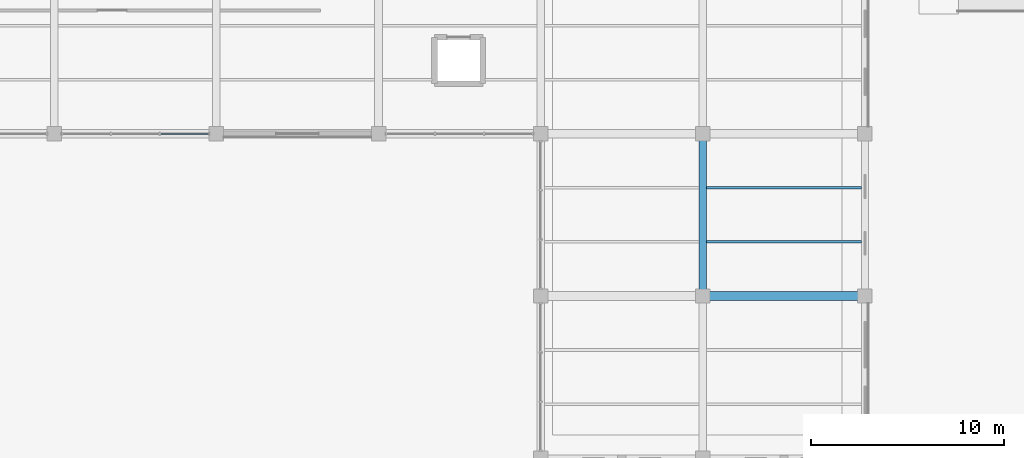
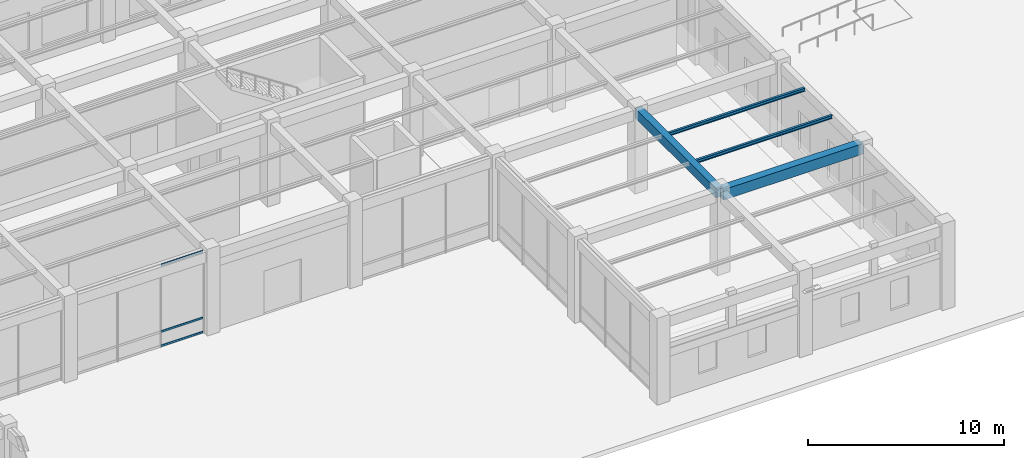
# One storey, part 18 of 157: 4 beams, 3 members, 1 element without a shape of its own.
"""IFC4 building model written with IfcOpenShell, lengths in metres."""

from ifc_helpers import new_model, si_unit, direction, frame, origin, origin_2d, place, context, subcontext, project, spatial, rectangle, hollow_rectangle, i_section, extrude, material, material_profile, profile_set, type_object, element, aggregate, save


model = new_model("IFC4")

# Units and contexts
model_context = context("Model", 3, precision=1e-05, world=origin(), true_north=direction((0.0, 1.0)))
body_context = subcontext(model_context, "Body", "Model", "MODEL_VIEW")
ifc_project = project(units=[si_unit("LENGTHUNIT", "METRE"), si_unit("AREAUNIT", "SQUARE_METRE"), si_unit("VOLUMEUNIT", "CUBIC_METRE"), si_unit("PLANEANGLEUNIT", "RADIAN"), si_unit("MASSUNIT", "GRAM", prefix="KILO"), si_unit("THERMODYNAMICTEMPERATUREUNIT", "KELVIN"), si_unit("POWERUNIT", "WATT")], contexts=[model_context])

# Site, building, storey
site_placement = place(None, origin())
site = spatial("IfcSite", under=ifc_project, at=site_placement, CompositionType="ELEMENT")
building_placement = place(site_placement, origin())
building = spatial("IfcBuilding", under=site, at=building_placement, Name="Darbajah Civic Hall", CompositionType="ELEMENT")
storey_placement = place(building_placement, origin())
storey = spatial("IfcBuildingStorey", under=building, at=storey_placement, Name="L00", CompositionType="ELEMENT", Elevation=0.0)

# Curtain wall, members
ifc_material_1 = material(Name="Anodised Bronze Aluminium and Low-E Glazing", Category="aluminium")
curtain_wall_type = type_object("IfcCurtainWallType", Name="Unitised Curtain Wall CW-98 7600x5150", PredefinedType="USERDEFINED", material=ifc_material_1)
curtain_wall_placement = place(storey_placement, origin())
curtain_wall = element("IfcCurtainWall", 1, at=curtain_wall_placement, inside=storey, type_object=curtain_wall_type, Name="L00 unitised curtain wall CW-V5-L00-S2-B1", ObjectType="UNITISED CURTAIN WALL", PredefinedType="USERDEFINED")
ifc_material_2 = material(Name="Anodised Bronze Aluminium", Category="aluminium")
ifc_material_profile_1 = material_profile(ifc_material_2, hollow_rectangle(XDim=0.06005859375, YDim=0.1201171875, WallThickness=0.003173828125, at=origin_2d()), Name="ALU TRANSOM 60x120")
ifc_profile_set_1 = profile_set([ifc_material_profile_1], Name="Anodised Bronze Aluminium")
member_type = type_object("IfcMemberType", Name="ALU TRANSOM 60x120", PredefinedType="USERDEFINED", material=ifc_profile_set_1)
member_1_placement = place(storey_placement, frame((30.709228515625, 16.800048828125, 0.06005859375), z_axis=(1.0, 0.0, 0.0), x_axis=(0.0, 1.0, 0.0)))
member_1 = element("IfcMember", 2, at=member_1_placement, type_object=member_type, Name="CW-V5-L00-S2-B1 transom 3.1", ObjectType="TRANSOM", PredefinedType="USERDEFINED", context=body_context, shape_type="SweptSolid", body=[
    extrude(hollow_rectangle(XDim=0.06005859375, YDim=0.1201171875, WallThickness=0.003173828125, at=origin_2d()), origin(), (0.0, 0.0, 1.0), 2.478759765625),
])
member_2_placement = place(storey_placement, frame((30.709228515625, 16.800048828125, 0.949951171875), z_axis=(1.0, 0.0, 0.0), x_axis=(0.0, 1.0, 0.0)))
member_2 = element("IfcMember", 3, at=member_2_placement, type_object=member_type, Name="CW-V5-L00-S2-B1 transom 3.2", ObjectType="TRANSOM", PredefinedType="USERDEFINED", context=body_context, shape_type="SweptSolid", body=[
    extrude(hollow_rectangle(XDim=0.06005859375, YDim=0.1201171875, WallThickness=0.003173828125, at=origin_2d()), origin(), (0.0, 0.0, 1.0), 2.478759765625),
])
member_3_placement = place(storey_placement, frame((30.709228515625, 16.800048828125, 5.080078125), z_axis=(1.0, 0.0, 0.0), x_axis=(0.0, 1.0, 0.0)))
member_3 = element("IfcMember", 4, at=member_3_placement, type_object=member_type, Name="CW-V5-L00-S2-B1 transom 3.3", ObjectType="TRANSOM", PredefinedType="USERDEFINED", context=body_context, shape_type="SweptSolid", body=[
    extrude(hollow_rectangle(XDim=0.06005859375, YDim=0.1201171875, WallThickness=0.003173828125, at=origin_2d()), origin(), (0.0, 0.0, 1.0), 2.478759765625),
])
aggregate(curtain_wall, [member_1, member_2, member_3])

# Beams
ifc_material_3 = material(Name="Concrete C45/55", Category="concrete")
ifc_material_profile_2 = material_profile(ifc_material_3, rectangle(XDim=0.39990234375, YDim=0.60009765625, at=origin_2d()), Name="RC BEAM 400x600")
ifc_profile_set_2 = profile_set([ifc_material_profile_2], Name="Concrete C45/55")
beam_type_1 = type_object("IfcBeamType", Name="RC BEAM 400x600", PredefinedType="BEAM", material=ifc_profile_set_2)
beam_1_placement = place(storey_placement, frame((58.800048828125, 8.47998046875, 4.840087890625), z_axis=(0.0, 1.0, 0.0), x_axis=(-1.0, 0.0, 0.0)))
element("IfcBeam", 5, at=beam_1_placement, inside=storey, type_object=beam_type_1, Name="L00 beam BM-4060", PredefinedType="BEAM", context=body_context, shape_type="SweptSolid", body=[
    extrude(rectangle(XDim=0.39990234375, YDim=0.60009765625, at=origin_2d()), origin(), (0.0, 0.0, 1.0), 8.239990234375),
])
ifc_material_profile_3 = material_profile(ifc_material_3, rectangle(XDim=0.449951171875, YDim=0.64990234375, at=origin_2d()), Name="RC BEAM 450x650")
ifc_profile_set_3 = profile_set([ifc_material_profile_3], Name="Concrete C45/55")
beam_type_2 = type_object("IfcBeamType", Name="RC BEAM 450x650", PredefinedType="BEAM", material=ifc_profile_set_3)
beam_2_placement = place(storey_placement, frame((58.8798828125, 8.39990234375, 4.81494140625), z_axis=(1.0, 0.0, 0.0), x_axis=(0.0, 1.0, 0.0)))
element("IfcBeam", 6, at=beam_2_placement, inside=storey, type_object=beam_type_2, Name="L00 beam BM-4565", PredefinedType="BEAM", context=body_context, shape_type="SweptSolid", body=[
    extrude(rectangle(XDim=0.449951171875, YDim=0.64990234375, at=origin_2d()), origin(), (0.0, 0.0, 1.0), 8.240234375),
])
ifc_material_4 = material(Name="Steel S355JR", Category="steel")
ifc_material_profile_4 = material_profile(ifc_material_4, i_section(OverallWidth=0.1337890625, OverallDepth=0.206787109375, WebThickness=0.00634765625, FlangeThickness=0.009521484375, FilletRadius=0.007568359375, at=origin_2d()), Name="UB 203x133x30")
ifc_profile_set_4 = profile_set([ifc_material_profile_4], Name="Steel S355JR")
beam_type_3 = type_object("IfcBeamType", Name="UB 203x133x30", PredefinedType="JOIST", material=ifc_profile_set_4)
for number, where, z_axis, x_axis, name in (
    (7, (59.0, 11.199951171875, 5.03662109375), (1.0, 0.0, 0.0), (0.0, 1.0, 0.0), "L00 beam SJ-203"),
    (8, (59.0, 14.0, 5.03662109375), (1.0, 0.0, 0.0), (0.0, 1.0, 0.0), "L00 beam SJ-203"),
):
    element("IfcBeam", number, at=place(storey_placement, frame(where, z_axis=z_axis, x_axis=x_axis)), inside=storey, type_object=beam_type_3, Name=name, PredefinedType="JOIST", context=body_context, shape_type="SweptSolid", body=[
        extrude(i_section(OverallWidth=0.1337890625, OverallDepth=0.206787109375, WebThickness=0.00634765625, FlangeThickness=0.009521484375, FilletRadius=0.007568359375, at=origin_2d()), origin(), (0.0, 0.0, 1.0), 8.02490234375),
    ])

save(model, "model.ifc")
